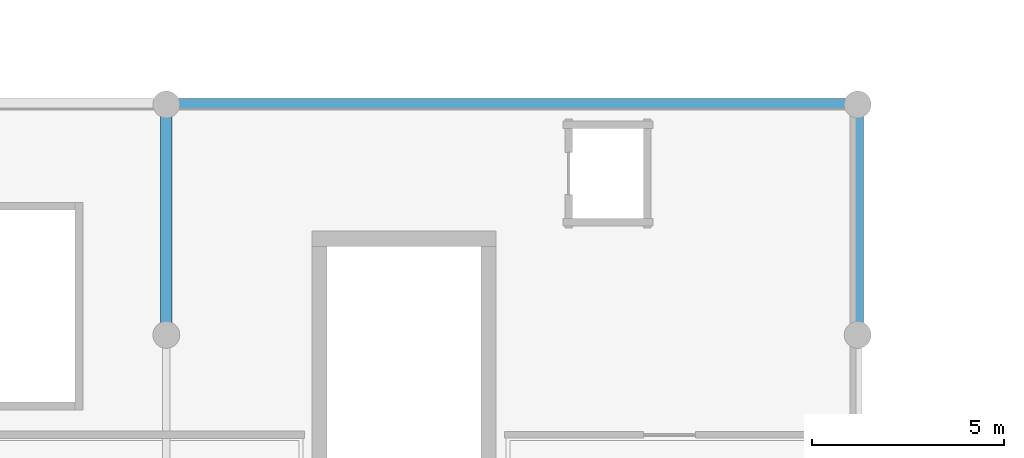
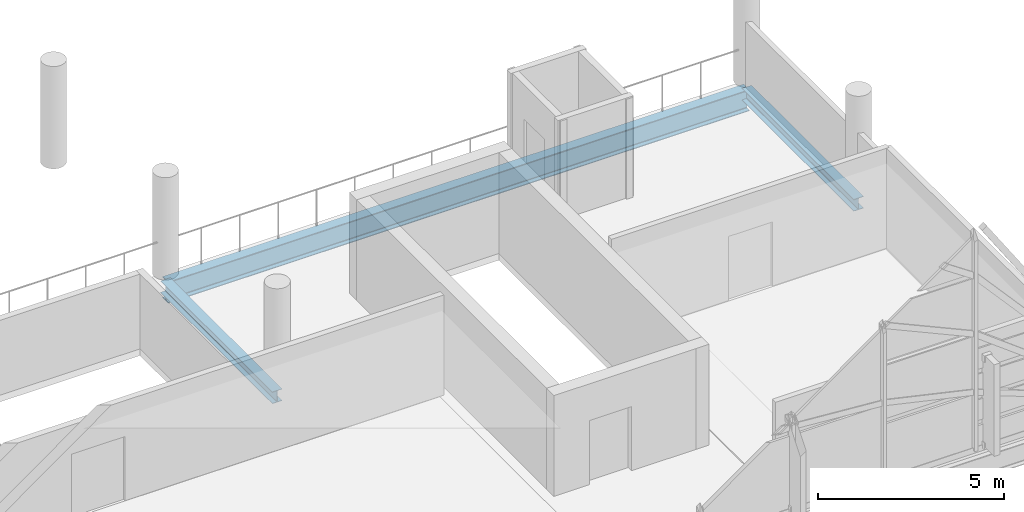
# One storey, part 35 of 116: 3 beams.
"""IFC4 building model written with IfcOpenShell, lengths in metres."""

from ifc_helpers import new_model, si_unit, direction, frame, origin, origin_2d, place, context, subcontext, project, spatial, i_section, extrude, material, material_profile, profile_set, type_object, element, save


model = new_model("IFC4")

# Units and contexts
model_context = context("Model", 3, precision=1e-05, world=origin(), true_north=direction((0.0, 1.0)))
body_context = subcontext(model_context, "Body", "Model", "MODEL_VIEW")
ifc_project = project(units=[si_unit("LENGTHUNIT", "METRE"), si_unit("AREAUNIT", "SQUARE_METRE"), si_unit("VOLUMEUNIT", "CUBIC_METRE"), si_unit("PLANEANGLEUNIT", "RADIAN"), si_unit("MASSUNIT", "GRAM", prefix="KILO")], contexts=[model_context])

# Site, building, storey
site_placement = place(None, origin())
site = spatial("IfcSite", under=ifc_project, at=site_placement, CompositionType="ELEMENT")
building_placement = place(site_placement, origin())
building = spatial("IfcBuilding", under=site, at=building_placement, Name="Chuanluo Vaults Station", CompositionType="ELEMENT")
storey_placement = place(building_placement, frame((0.0, 0.0, 10.800048828125)))
storey = spatial("IfcBuildingStorey", under=building, at=storey_placement, Name="L02", CompositionType="ELEMENT", Elevation=10.800048828125)

# Beams
ifc_material_1 = material(Name="Steel Q355C", Category="steel")
ifc_material_profile_1 = material_profile(ifc_material_1, i_section(OverallWidth=0.300048828125, OverallDepth=0.389892578125, WebThickness=0.010009765625, FlangeThickness=0.01611328125, FilletRadius=0.02001953125, at=origin_2d()))
ifc_profile_set_1 = profile_set([ifc_material_profile_1], Name="Steel Q355C")
beam_type_1 = type_object("IfcBeamType", Name="BM-GRD-400", PredefinedType="BEAM", material=ifc_profile_set_1)
for number, where, z_axis, x_axis, name in (
    (1, (72.0, 30.0, -0.4150390625), (0.0, 1.0, 0.0), (-1.0, 0.0, 0.0), "Floor girder BM:GY:L02:0627"),
    (2, (90.0, 30.0, -0.4150390625), (0.0, 1.0, 0.0), (-1.0, 0.0, 0.0), "Floor girder BM:GY:L02:0629"),
):
    element("IfcBeam", number, at=place(storey_placement, frame(where, z_axis=z_axis, x_axis=x_axis)), inside=storey, type_object=beam_type_1, Name=name, PredefinedType="BEAM", context=body_context, shape_type="SweptSolid", body=[
        extrude(i_section(OverallWidth=0.300048828125, OverallDepth=0.389892578125, WebThickness=0.010009765625, FlangeThickness=0.01611328125, FilletRadius=0.02001953125, at=origin_2d()), origin(), (0.0, 0.0, 1.0), 6.0),
    ])
ifc_material_2 = material(Name="Steel Q355C", Category="steel")
ifc_material_profile_2 = material_profile(ifc_material_2, i_section(OverallWidth=0.300048828125, OverallDepth=0.699951171875, WebThickness=0.012939453125, FlangeThickness=0.02392578125, FilletRadius=0.02197265625, at=origin_2d()))
ifc_profile_set_2 = profile_set([ifc_material_profile_2], Name="Steel Q355C")
beam_type_2 = type_object("IfcBeamType", Name="BM-GRD-700", PredefinedType="USERDEFINED", material=ifc_profile_set_2)
beam_placement = place(storey_placement, frame((72.0, 36.0, -0.570068359375), z_axis=(1.0, 0.0, 0.0), x_axis=(0.0, 1.0, 0.0)))
element("IfcBeam", 3, at=beam_placement, inside=storey, type_object=beam_type_2, Name="Floor girder BM:GX:L02:0565", ObjectType="GIRDER", PredefinedType="USERDEFINED", context=body_context, shape_type="SweptSolid", body=[
    extrude(i_section(OverallWidth=0.300048828125, OverallDepth=0.699951171875, WebThickness=0.012939453125, FlangeThickness=0.02392578125, FilletRadius=0.02197265625, at=origin_2d()), origin(), (0.0, 0.0, 1.0), 18.0),
])

save(model, "model.ifc")
